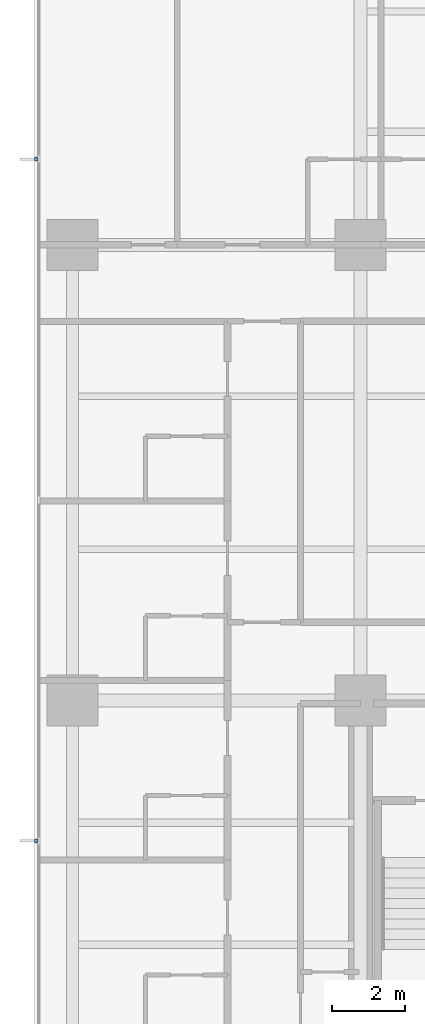
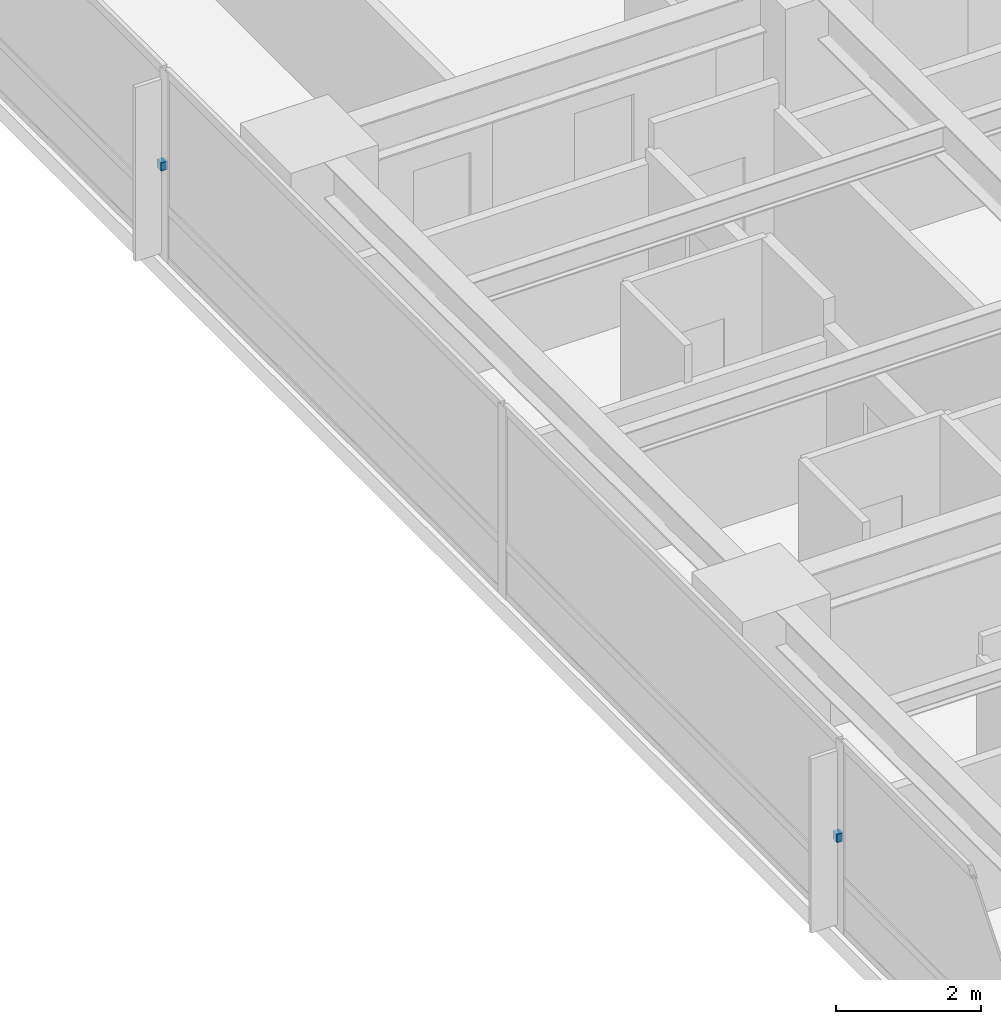
# One storey, part 12 of 16: 2 discrete accessories.
"""IFC4 building model written with IfcOpenShell, lengths in metres."""

from ifc_helpers import new_model, si_unit, direction, frame, origin, place, context, subcontext, project, spatial, polyline, outline, extrude, material, type_object, element, save


model = new_model("IFC4")

# Units and contexts
model_context = context("Model", 3, precision=1e-05, world=origin(), true_north=direction((0.0, 1.0)))
body_context = subcontext(model_context, "Body", "Model", "MODEL_VIEW")
ifc_project = project(units=[si_unit("LENGTHUNIT", "METRE"), si_unit("AREAUNIT", "SQUARE_METRE"), si_unit("VOLUMEUNIT", "CUBIC_METRE"), si_unit("PLANEANGLEUNIT", "RADIAN"), si_unit("MASSUNIT", "GRAM", prefix="KILO")], contexts=[model_context])

# Site, building, storey
site_placement = place(None, origin())
site = spatial("IfcSite", under=ifc_project, at=site_placement, CompositionType="ELEMENT")
building_placement = place(site_placement, origin())
building = spatial("IfcBuilding", under=site, at=building_placement, Name="Qalmaran Belvedere Hotel", CompositionType="ELEMENT")
storey_placement = place(building_placement, frame((0.0, 0.0, 57.89990234375)))
storey = spatial("IfcBuildingStorey", under=building, at=storey_placement, Name="L14", CompositionType="ELEMENT", Elevation=57.89990234375)

# Discrete accessories
ifc_material = material(Name="Stainless Steel 1.4401", Category="steel")
discrete_accessory_type = type_object("IfcDiscreteAccessoryType", Name="BRK-FIN-SS316", PredefinedType="BRACKET", material=ifc_material)
discrete_accessory_1_placement = place(storey_placement, frame((0.0, 0.0, 1.56005859375)))
element("IfcDiscreteAccessory", 1, at=discrete_accessory_1_placement, inside=storey, type_object=discrete_accessory_type, Name="L14 Fin Bracket 1", PredefinedType="BRACKET", context=body_context, shape_type="SweptSolid", body=[
    extrude(outline(polyline([(11.455078125, 35.405029296875), (11.357421875, 35.405029296875), (11.357421875, 35.294921875), (11.455078125, 35.294921875), (11.455078125, 35.405029296875)])), origin(), (0.0, 0.0, 1.0), 0.14013671875),
])
discrete_accessory_2_placement = place(storey_placement, frame((0.0, 0.0, 1.56005859375)))
element("IfcDiscreteAccessory", 2, at=discrete_accessory_2_placement, inside=storey, type_object=discrete_accessory_type, Name="L14 Fin Bracket 3", PredefinedType="BRACKET", context=body_context, shape_type="SweptSolid", body=[
    extrude(outline(polyline([(11.455078125, 16.705078125), (11.357421875, 16.705078125), (11.357421875, 16.594970703125), (11.455078125, 16.594970703125), (11.455078125, 16.705078125)])), origin(), (0.0, 0.0, 1.0), 0.14013671875),
])

save(model, "model.ifc")
